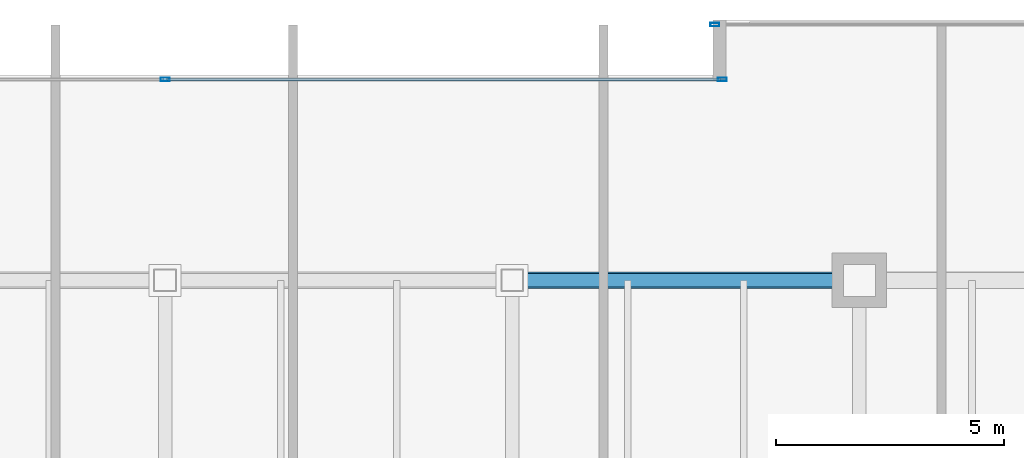
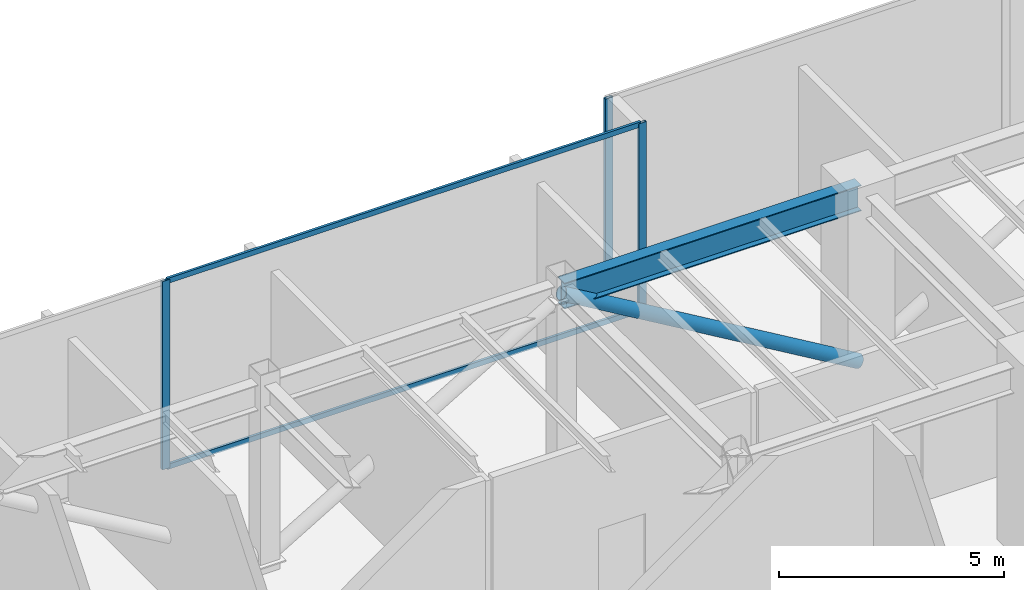
# One storey, part 18 of 34: 6 members, 1 beam, 2 elements without a shape of their own.
"""IFC4 building model written with IfcOpenShell, lengths in metres."""

from ifc_helpers import new_model, si_unit, direction, frame, origin, origin_2d, place, context, subcontext, project, spatial, hollow_rectangle, hollow_circle, i_section, extrude, source, transform, mapped, material, layer, layer_set, material_profile, profile_set, type_object, type_shapes, element, aggregate, save


model = new_model("IFC4")

# Units and contexts
model_context = context("Model", 3, precision=1e-05, world=origin(), true_north=direction((0.0, 1.0)))
body_context = subcontext(model_context, "Body", "Model", "MODEL_VIEW")
ifc_project = project(units=[si_unit("LENGTHUNIT", "METRE"), si_unit("AREAUNIT", "SQUARE_METRE"), si_unit("VOLUMEUNIT", "CUBIC_METRE"), si_unit("PLANEANGLEUNIT", "RADIAN"), si_unit("MASSUNIT", "GRAM", prefix="KILO")], contexts=[model_context])

# Site, building, storey
site_placement = place(None, origin())
site = spatial("IfcSite", under=ifc_project, at=site_placement, CompositionType="ELEMENT")
building_placement = place(site_placement, origin())
building = spatial("IfcBuilding", under=site, at=building_placement, Name="Haelvirn Gate Laboratories", CompositionType="ELEMENT")
storey_placement = place(building_placement, frame((0.0, 0.0, 191.199951171875)))
storey = spatial("IfcBuildingStorey", under=building, at=storey_placement, Name="L46", CompositionType="ELEMENT", Elevation=191.199951171875)

# Beam
ifc_material_1 = material(Name="Steel SM355", Category="steel")
ifc_material_profile_1 = material_profile(ifc_material_1, i_section(OverallWidth=0.300048828125, OverallDepth=0.699951171875, WebThickness=0.012939453125, FlangeThickness=0.02392578125, at=origin_2d()), Name="H-700x300x13x24")
ifc_profile_set_1 = profile_set([ifc_material_profile_1], Name="Steel SM355")
beam_type = type_object("IfcBeamType", Name="BM-G-700", PredefinedType="BEAM", material=ifc_profile_set_1)
shared_shape_1 = source(origin(), body_context, "Body", "SweptSolid", [
    extrude(i_section(OverallWidth=0.300048828125, OverallDepth=0.699951171875, WebThickness=0.012939453125, FlangeThickness=0.02392578125, at=origin_2d()), origin(), (0.0, 0.0, 1.0), 7.60009765625),
])
type_shapes(beam_type, [shared_shape_1])
beam_placement = place(storey_placement, frame((45.0, 41.60009765625, 4.75), z_axis=(1.0, 0.0, 0.0), x_axis=(0.0, 1.0, 0.0)))
element("IfcBeam", 1, at=beam_placement, inside=storey, type_object=beam_type, Name="L46 Primary Girder Y41.6 (45.0-52.6)", PredefinedType="BEAM", context=body_context, shape_type="MappedRepresentation", body=[
    mapped(shared_shape_1, transform((0.0, 0.0, 0.0), scale=1.0)),
])

# Member
ifc_material_profile_2 = material_profile(ifc_material_1, hollow_circle(Radius=0.177734375, WallThickness=0.013916015625, at=origin_2d()), Name="CHS-355x14")
ifc_profile_set_2 = profile_set([ifc_material_profile_2], Name="Steel SM355")
member_type_1 = type_object("IfcMemberType", Name="MEM-BELT-1", PredefinedType="STRUT", material=ifc_profile_set_2)
shared_shape_2 = source(origin(), body_context, "Body", "SweptSolid", [
    extrude(hollow_circle(Radius=0.177734375, WallThickness=0.013916015625, at=origin_2d()), origin(), (0.0, 0.0, 1.0), 8.83251953125),
])
type_shapes(member_type_1, [shared_shape_2])
member_1_placement = place(storey_placement, frame((45.0, 41.60009765625, 4.75), z_axis=(0.860478259115, 0.0, -0.509487159397), x_axis=(0.0, 1.0, 0.0)))
element("IfcMember", 2, at=member_1_placement, inside=storey, type_object=member_type_1, Name="L46 Perimeter Belt Truss N6", PredefinedType="STRUT", context=body_context, shape_type="MappedRepresentation", body=[
    mapped(shared_shape_2, transform((0.0, 0.0, 0.0), scale=1.0)),
])

# Curtain wall, members
ifc_material_2 = material(Name="Anodised bronze unitised aluminium & triple low-E glass", Category="aluminium")
ifc_layer = layer(ifc_material_2, 0.179931640625, Name="CW-SYS-3")
ifc_layer_set = layer_set([ifc_layer], Name="Anodised bronze unitised aluminium & triple low-E glass")
curtain_wall_type = type_object("IfcCurtainWallType", Name="CW-SYS-3", PredefinedType="NOTDEFINED", material=ifc_layer_set)
curtain_wall_1_placement = place(storey_placement, origin())
curtain_wall_1 = element("IfcCurtainWall", 3, at=curtain_wall_1_placement, inside=storey, type_object=curtain_wall_type, Name="L46 Unitised Curtain Wall CW-L46-P0-E12-1", PredefinedType="NOTDEFINED")
ifc_material_3 = material(Name="Extruded aluminium 6063-T6 (anodised bronze)", Category="aluminium")
ifc_material_profile_3 = material_profile(ifc_material_3, hollow_rectangle(XDim=0.06494140625, YDim=0.139892578125, WallThickness=0.00390625, at=origin_2d()), Name="CWT-140x65x4")
ifc_profile_set_3 = profile_set([ifc_material_profile_3], Name="Extruded aluminium 6063-T6 (anodised bronze)")
member_type_2 = type_object("IfcMemberType", Name="CWT-T140", PredefinedType="USERDEFINED", material=ifc_profile_set_3)
shared_shape_3 = source(origin(), body_context, "Body", "SweptSolid", [
    extrude(hollow_rectangle(XDim=0.06494140625, YDim=0.139892578125, WallThickness=0.00390625, at=origin_2d()), origin(), (0.0, 0.0, 1.0), 12.12744140625),
])
type_shapes(member_type_2, [shared_shape_3])
member_2_placement = place(storey_placement, frame((37.4375, 46.0, 0.032470703125), z_axis=(1.0, 0.0, 0.0), x_axis=(0.0, 1.0, 0.0)))
member_2 = element("IfcMember", 4, at=member_2_placement, type_object=member_type_2, Name="CW3 transom 2.1", ObjectType="TRANSOM", PredefinedType="USERDEFINED", context=body_context, shape_type="MappedRepresentation", body=[
    mapped(shared_shape_3, transform((0.0, 0.0, 0.0), scale=1.0)),
])
member_3_placement = place(storey_placement, frame((37.4375, 46.0, 5.067626953125), z_axis=(1.0, 0.0, 0.0), x_axis=(0.0, 1.0, 0.0)))
member_3 = element("IfcMember", 5, at=member_3_placement, type_object=member_type_2, Name="CW3 transom 2.2", ObjectType="TRANSOM", PredefinedType="USERDEFINED", context=body_context, shape_type="MappedRepresentation", body=[
    mapped(shared_shape_3, transform((0.0, 0.0, 0.0), scale=1.0)),
])

# Curtain wall, member
curtain_wall_2_placement = place(storey_placement, origin())
curtain_wall_2 = element("IfcCurtainWall", 6, at=curtain_wall_2_placement, inside=storey, type_object=curtain_wall_type, Name="L46 Unitised Curtain Wall CW-L46-P0-E10-1", PredefinedType="NOTDEFINED")
ifc_material_profile_4 = material_profile(ifc_material_3, hollow_rectangle(XDim=0.074951171875, YDim=0.199951171875, WallThickness=0.0048828125, at=origin_2d()), Name="CWM-200x75x5")
ifc_profile_set_4 = profile_set([ifc_material_profile_4], Name="Extruded aluminium 6063-T6 (anodised bronze)")
member_type_3 = type_object("IfcMemberType", Name="CWM-T200", PredefinedType="MULLION", material=ifc_profile_set_4)
shared_shape_4 = source(origin(), body_context, "Body", "SweptSolid", [
    extrude(hollow_rectangle(XDim=0.074951171875, YDim=0.199951171875, WallThickness=0.0048828125, at=origin_2d()), origin(), (0.0, 0.0, 1.0), 5.10009765625),
])
type_shapes(member_type_3, [shared_shape_4])
member_4_placement = place(storey_placement, frame((49.4375, 47.199951171875, 0.0), z_axis=(0.0, 0.0, 1.0), x_axis=(0.0, 1.0, 0.0)))
member_4 = element("IfcMember", 7, at=member_4_placement, type_object=member_type_3, Name="CW3 mullion 1", PredefinedType="MULLION", context=body_context, shape_type="MappedRepresentation", body=[
    mapped(shared_shape_4, transform((0.0, 0.0, 0.0), scale=1.0)),
])
aggregate(curtain_wall_2, [member_4])

# Member
member_5_placement = place(storey_placement, frame((37.39990234375, 46.0, 0.0), z_axis=(0.0, 0.0, 1.0), x_axis=(0.0, 1.0, 0.0)))
member_5 = element("IfcMember", 8, at=member_5_placement, type_object=member_type_3, Name="CW3 mullion 2", PredefinedType="MULLION", context=body_context, shape_type="MappedRepresentation", body=[
    mapped(shared_shape_4, transform((0.0, 0.0, 0.0), scale=1.0)),
])

member_6_placement = place(storey_placement, frame((49.6025390625, 46.0, 0.0), z_axis=(0.0, 0.0, 1.0), x_axis=(0.0, 1.0, 0.0)))
member_6 = element("IfcMember", 9, at=member_6_placement, type_object=member_type_3, Name="CW3 mullion 3", PredefinedType="MULLION", context=body_context, shape_type="MappedRepresentation", body=[
    mapped(shared_shape_4, transform((0.0, 0.0, 0.0), scale=1.0)),
])

aggregate(curtain_wall_1, [member_5, member_6, member_2, member_3])

save(model, "model.ifc")
